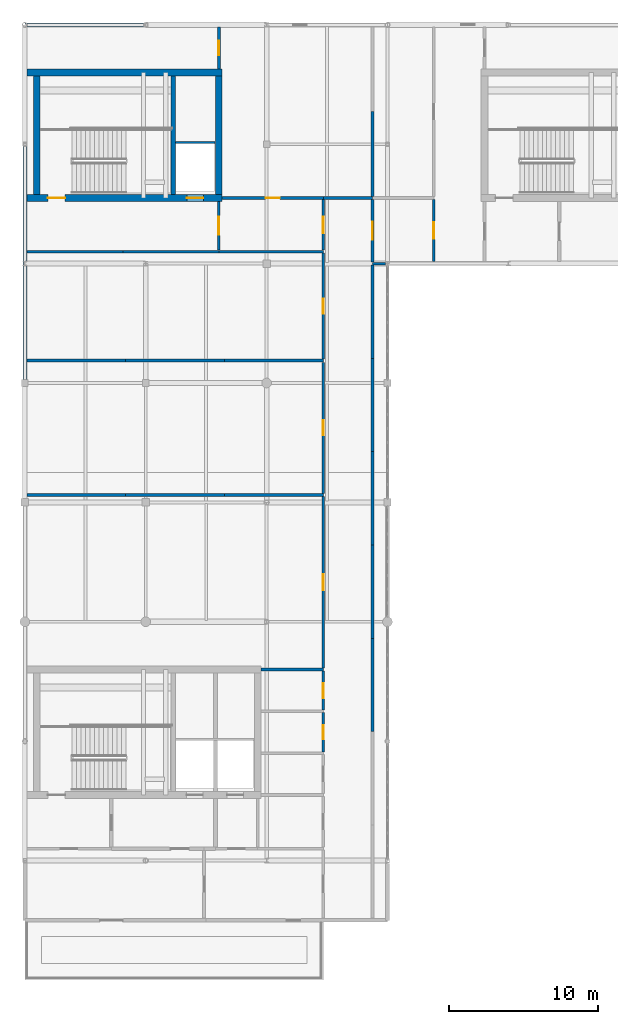
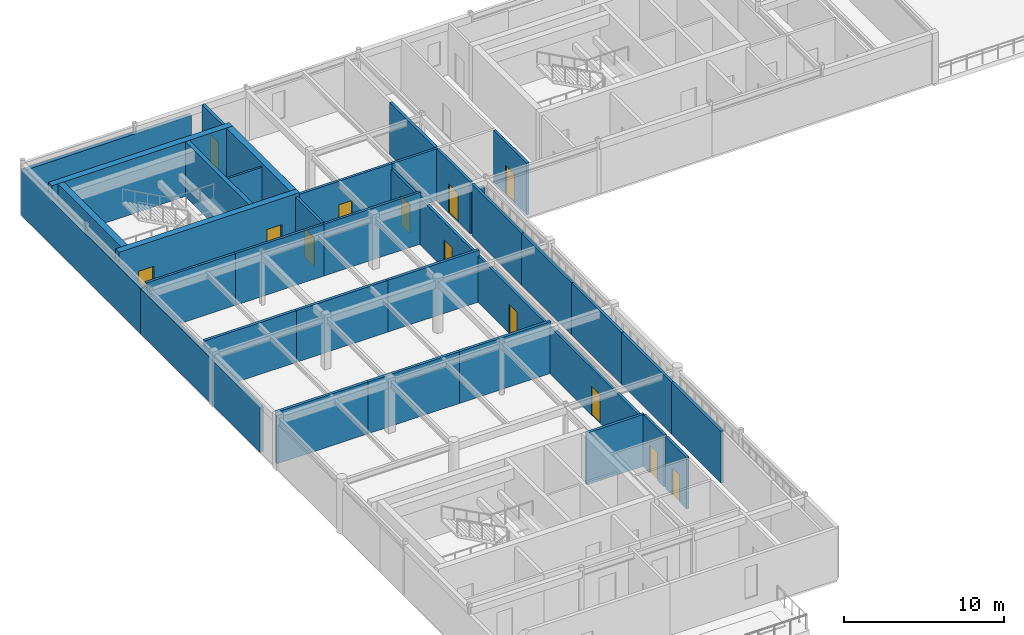
# One storey, part 13 of 18: 38 walls, 13 doors, 13 openings.
"""IFC4 building model written with IfcOpenShell, lengths in metres."""

from ifc_helpers import new_model, si_unit, direction, frame, frame_2d, origin, place, context, subcontext, project, spatial, rectangle, extrude, material, layer, layer_set, type_object, element, fill, save


model = new_model("IFC4")

# Units and contexts
model_context = context("Model", 3, precision=1e-05, world=origin(), true_north=direction((0.0, 1.0)))
body_context = subcontext(model_context, "Body", "Model", "MODEL_VIEW")
ifc_project = project(units=[si_unit("LENGTHUNIT", "METRE"), si_unit("AREAUNIT", "SQUARE_METRE"), si_unit("VOLUMEUNIT", "CUBIC_METRE"), si_unit("PLANEANGLEUNIT", "RADIAN"), si_unit("MASSUNIT", "GRAM", prefix="KILO")], contexts=[model_context])

# Site, building, storey
site_placement = place(None, origin())
site = spatial("IfcSite", under=ifc_project, at=site_placement, CompositionType="ELEMENT")
building_placement = place(site_placement, origin())
building = spatial("IfcBuilding", under=site, at=building_placement, Name="Tarnveldt Square Police Headquarters", CompositionType="ELEMENT")
storey_placement = place(building_placement, frame((0.0, 0.0, 29.10009765625)))
storey = spatial("IfcBuildingStorey", under=building, at=storey_placement, Name="L06", CompositionType="ELEMENT", Elevation=29.10009765625)

# Walls
ifc_material_1 = material(Name="Fire-rated Type X gypsum board on steel studs", Category="steel")
ifc_layer_1 = layer(ifc_material_1, 0.199951171875)
ifc_layer_set_1 = layer_set([ifc_layer_1], Name="Fire-rated Type X gypsum board on steel studs")
wall_type_1 = type_object("IfcWallType", Name="WL-ACOUST-200", PredefinedType="PARTITIONING", material=ifc_layer_set_1)
wall_1_placement = place(storey_placement, frame((16.337890625, 80.5, 0.0), z_axis=(0.0, 0.0, 1.0), x_axis=(1.0, 0.0, 0.0)))
element("IfcWall", 1, at=wall_1_placement, inside=storey, type_object=wall_type_1, Name="L06 Interior Partition Wall 0661", PredefinedType="PARTITIONING", context=body_context, shape_type="SweptSolid", body=[
    extrude(rectangle(XDim=6.620849609375, YDim=0.199951171875, at=frame_2d((3.310546875, 0.0))), origin(), (0.0, 0.0, 1.0), 3.9599609375),
])
for number, where, z_axis, x_axis, name in (
    (2, (22.958740234375, 80.5, 0.0), (0.0, 0.0, 1.0), (1.0, 0.0, 0.0), "L06 Interior Partition Wall 0662"),
    (3, (29.579345703125, 80.5, 0.0), (0.0, 0.0, 1.0), (1.0, 0.0, 0.0), "L06 Interior Partition Wall 0663"),
):
    element("IfcWall", number, at=place(storey_placement, frame(where, z_axis=z_axis, x_axis=x_axis)), inside=storey, type_object=wall_type_1, Name=name, PredefinedType="PARTITIONING", context=body_context, shape_type="SweptSolid", body=[
        extrude(rectangle(XDim=6.62060546875, YDim=0.199951171875, at=frame_2d((3.310302734375, 0.0))), origin(), (0.0, 0.0, 1.0), 3.9599609375),
    ])
wall_2_placement = place(storey_placement, frame((16.337890625, 89.5, 0.0), z_axis=(0.0, 0.0, 1.0), x_axis=(1.0, 0.0, 0.0)))
element("IfcWall", 4, at=wall_2_placement, inside=storey, type_object=wall_type_1, Name="L06 Interior Partition Wall 0664", PredefinedType="PARTITIONING", context=body_context, shape_type="SweptSolid", body=[
    extrude(rectangle(XDim=6.620849609375, YDim=0.199951171875, at=frame_2d((3.310546875, 0.0))), origin(), (0.0, 0.0, 1.0), 3.9599609375),
])
for number, where, z_axis, x_axis, name in (
    (5, (22.958740234375, 89.5, 0.0), (0.0, 0.0, 1.0), (1.0, 0.0, 0.0), "L06 Interior Partition Wall 0665"),
    (6, (29.579345703125, 89.5, 0.0), (0.0, 0.0, 1.0), (1.0, 0.0, 0.0), "L06 Interior Partition Wall 0666"),
):
    element("IfcWall", number, at=place(storey_placement, frame(where, z_axis=z_axis, x_axis=x_axis)), inside=storey, type_object=wall_type_1, Name=name, PredefinedType="PARTITIONING", context=body_context, shape_type="SweptSolid", body=[
        extrude(rectangle(XDim=6.62060546875, YDim=0.199951171875, at=frame_2d((3.310302734375, 0.0))), origin(), (0.0, 0.0, 1.0), 3.9599609375),
    ])
wall_3_placement = place(storey_placement, frame((32.02490234375, 68.800048828125, 0.0), z_axis=(0.0, 0.0, 1.0), x_axis=(1.0, 0.0, 0.0)))
element("IfcWall", 7, at=wall_3_placement, inside=storey, type_object=wall_type_1, Name="L06 Interior Partition Wall 0678", PredefinedType="PARTITIONING", context=body_context, shape_type="SweptSolid", body=[
    extrude(rectangle(XDim=4.175048828125, YDim=0.199951171875, at=frame_2d((2.08740234375, 0.0))), origin(), (0.0, 0.0, 1.0), 3.9599609375),
])

# Wall, opening, door
wall_4_placement = place(storey_placement, frame((29.199951171875, 109.032958984375, 0.0), z_axis=(0.0, 0.0, 1.0), x_axis=(0.0, 1.0, 0.0)))
wall_4 = element("IfcWall", 8, at=wall_4_placement, inside=storey, type_object=wall_type_1, Name="L06 Interior Partition Wall 0688", PredefinedType="PARTITIONING", context=body_context, shape_type="SweptSolid", body=[
    extrude(rectangle(XDim=2.8291015625, YDim=0.199951171875, at=frame_2d((1.41455078125, 0.0))), origin(), (0.0, 0.0, 1.0), 3.9599609375),
])
opening_1_placement = place(wall_4_placement, frame((0.91455078125, 0.0, 0.0)))
opening_1 = element("IfcOpeningElement", 9, at=opening_1_placement, cuts=wall_4, Name="Opening D05", PredefinedType="OPENING", context=body_context, shape_type="SweptSolid", body=[
    extrude(rectangle(XDim=1.0, YDim=2.199951171875, at=frame_2d((0.5, 1.10009765625))), frame((0.0, 0.10986328125, 0.0), z_axis=(0.0, -1.0, 0.0), x_axis=(1.0, 0.0, 0.0)), (0.0, 0.0, 1.0), 0.219970703125),
])
ifc_material_2 = material(Name="Solid core architectural birch door leaf", Category="wood")
door_type_1 = type_object("IfcDoorType", Name="DR-INT-1000", OperationType="NOTDEFINED", PredefinedType="DOOR", material=ifc_material_2)
door_1_placement = place(opening_1_placement, origin())
door_1 = element("IfcDoor", 10, at=door_1_placement, inside=storey, type_object=door_type_1, Name="Internal Affairs Case Archive Suite Door", OperationType="SINGLE_SWING_LEFT", OverallHeight=2.199951171875, OverallWidth=1.0, PredefinedType="DOOR", context=body_context, shape_type="SweptSolid", body=[
    extrude(rectangle(XDim=1.0, YDim=2.199951171875, at=frame_2d((0.5, 1.10009765625))), frame((0.0, 0.02490234375, 0.0), z_axis=(0.0, -1.0, 0.0), x_axis=(1.0, 0.0, 0.0)), (0.0, 0.0, 1.0), 0.050048828125),
])
fill(opening_1, door_1)

# Wall
wall_5_placement = place(storey_placement, frame((39.5, 100.498046875, 0.0), z_axis=(0.0, 0.0, 1.0), x_axis=(0.0, 1.0, 0.0)))
element("IfcWall", 11, at=wall_5_placement, inside=storey, type_object=wall_type_1, Name="L06 Interior Partition Wall 0707", PredefinedType="PARTITIONING", context=body_context, shape_type="SweptSolid", body=[
    extrude(rectangle(XDim=5.681884765625, YDim=0.199951171875, at=frame_2d((2.8408203125, 0.0))), origin(), (0.0, 0.0, 1.0), 3.9599609375),
])

# Wall, openings, doors
ifc_material_3 = material(Name="Concrete 50 MPa", Category="concrete")
ifc_layer_2 = layer(ifc_material_3, 0.449951171875)
ifc_layer_set_2 = layer_set([ifc_layer_2], Name="Concrete 50 MPa")
wall_type_2 = type_object("IfcWallType", Name="WL-CORE-450", PredefinedType="SHEAR", material=ifc_layer_set_2)
wall_6_placement = place(storey_placement, frame((16.360107421875, 100.39990234375, 0.0), z_axis=(0.0, 0.0, 1.0), x_axis=(1.0, 0.0, 0.0)))
wall_6 = element("IfcWall", 12, at=wall_6_placement, inside=storey, type_object=wall_type_2, Name="Core K2 North-West Operations Core L06 South Shear Wall", PredefinedType="SHEAR", context=body_context, shape_type="SweptSolid", body=[
    extrude(rectangle(XDim=13.06494140625, YDim=0.449951171875, at=frame_2d((6.532470703125, 0.0))), origin(), (0.0, 0.0, 1.0), 4.199951171875),
])
opening_2_placement = place(wall_6_placement, frame((1.389892578125, 0.0, 0.0)))
opening_2 = element("IfcOpeningElement", 13, at=opening_2_placement, cuts=wall_6, Name="Opening D-ST2-L06", PredefinedType="OPENING", context=body_context, shape_type="SweptSolid", body=[
    extrude(rectangle(XDim=1.14990234375, YDim=2.25, at=frame_2d((0.574951171875, 1.125))), frame((0.0, 0.23486328125, 0.0), z_axis=(0.0, -1.0, 0.0), x_axis=(1.0, 0.0, 0.0)), (0.0, 0.0, 1.0), 0.469970703125),
])
opening_3_placement = place(wall_6_placement, frame((10.695068359375, 0.0, 0.0)))
opening_3 = element("IfcOpeningElement", 14, at=opening_3_placement, cuts=wall_6, Name="Opening LD-LP2-L06", PredefinedType="OPENING", context=body_context, shape_type="SweptSolid", body=[
    extrude(rectangle(XDim=1.10009765625, YDim=2.199951171875, at=frame_2d((0.550048828125, 1.10009765625))), frame((0.0, 0.23486328125, 0.0), z_axis=(0.0, -1.0, 0.0), x_axis=(1.0, 0.0, 0.0)), (0.0, 0.0, 1.0), 0.469970703125),
])
ifc_material_4 = material(Name="Insulated hollow metal steel door leaf", Category="steel")
door_type_2 = type_object("IfcDoorType", Name="DR-FD90-1150", OperationType="NOTDEFINED", PredefinedType="DOOR", material=ifc_material_4)
door_2_placement = place(opening_2_placement, origin())
door_2 = element("IfcDoor", 15, at=door_2_placement, inside=storey, type_object=door_type_2, Name="Exit Stair ST2 L06 Fire Door", OperationType="SINGLE_SWING_RIGHT", OverallHeight=2.25, OverallWidth=1.14990234375, PredefinedType="DOOR", context=body_context, shape_type="SweptSolid", body=[
    extrude(rectangle(XDim=1.14990234375, YDim=2.25, at=frame_2d((0.574951171875, 1.125))), frame((0.0, 0.02490234375, 0.0), z_axis=(0.0, -1.0, 0.0), x_axis=(1.0, 0.0, 0.0)), (0.0, 0.0, 1.0), 0.050048828125),
])
fill(opening_2, door_2)
ifc_material_5 = material(Name="Steel 350W", Category="steel")
door_type_3 = type_object("IfcDoorType", Name="DR-LD-1100", OperationType="DOUBLE_DOOR_SLIDING", PredefinedType="DOOR", material=ifc_material_5)
door_3_placement = place(opening_3_placement, frame((1.10009765625, 0.0, 0.0), z_axis=(0.0, 0.0, 1.0), x_axis=(-1.0, 0.0, 0.0)))
door_3 = element("IfcDoor", 16, at=door_3_placement, inside=storey, type_object=door_type_3, Name="Elevator LP2 L06 Sliding Landing Door", OperationType="DOUBLE_DOOR_SLIDING", OverallHeight=2.199951171875, OverallWidth=1.10009765625, PredefinedType="DOOR", context=body_context, shape_type="SweptSolid", body=[
    extrude(rectangle(XDim=1.10009765625, YDim=2.199951171875, at=frame_2d((0.550048828125, 1.10009765625))), frame((0.0, 0.02490234375, 0.0), z_axis=(0.0, -1.0, 0.0), x_axis=(1.0, 0.0, 0.0)), (0.0, 0.0, 1.0), 0.050048828125),
])
fill(opening_3, door_3)

# Walls
wall_7_placement = place(storey_placement, frame((16.360107421875, 108.800048828125, 0.0), z_axis=(0.0, 0.0, 1.0), x_axis=(1.0, 0.0, 0.0)))
element("IfcWall", 17, at=wall_7_placement, inside=storey, type_object=wall_type_2, Name="Core K2 North-West Operations Core L06 North Shear Wall", PredefinedType="SHEAR", context=body_context, shape_type="SweptSolid", body=[
    extrude(rectangle(XDim=13.06494140625, YDim=0.449951171875, at=frame_2d((6.532470703125, 0.0))), origin(), (0.0, 0.0, 1.0), 4.199951171875),
])
for number, where, z_axis, x_axis, name in (
    (18, (17.0, 100.625, 0.0), (0.0, 0.0, 1.0), (0.0, 1.0, 0.0), "Core K2 North-West Operations Core L06 West Shear Wall"),
    (19, (29.199951171875, 100.625, 0.0), (0.0, 0.0, 1.0), (0.0, 1.0, 0.0), "Core K2 North-West Operations Core L06 East Shear Wall"),
):
    element("IfcWall", number, at=place(storey_placement, frame(where, z_axis=z_axis, x_axis=x_axis)), inside=storey, type_object=wall_type_2, Name=name, PredefinedType="SHEAR", context=body_context, shape_type="SweptSolid", body=[
        extrude(rectangle(XDim=7.949951171875, YDim=0.449951171875, at=frame_2d((3.97509765625, 0.0))), origin(), (0.0, 0.0, 1.0), 4.199951171875),
    ])
wall_8_placement = place(storey_placement, frame((26.14990234375, 100.625, 0.0), z_axis=(0.0, 0.0, 1.0), x_axis=(0.0, 1.0, 0.0)))
element("IfcWall", 20, at=wall_8_placement, inside=storey, type_object=wall_type_2, Name="Core K2 North-West Operations Core L06 Stair-Lift Divider Shear Wall", PredefinedType="SHEAR", context=body_context, shape_type="SweptSolid", body=[
    extrude(rectangle(XDim=7.949951171875, YDim=0.300048828125, at=frame_2d((3.97509765625, 0.0))), origin(), (0.0, 0.0, 1.0), 4.199951171875),
])
ifc_material_6 = material(Name="Precast concrete 35 MPa", Category="concrete")
ifc_layer_3 = layer(ifc_material_6, 0.260009765625)
ifc_layer_set_3 = layer_set([ifc_layer_3], Name="Precast concrete 35 MPa")
wall_type_3 = type_object("IfcWallType", Name="WL-EXT-PC260", PredefinedType="SOLIDWALL", material=ifc_layer_set_3)
wall_9_placement = place(storey_placement, frame((28.35009765625, 112.0, 0.0), z_axis=(0.0, 0.0, 1.0), x_axis=(-1.0, 0.0, 0.0)))
element("IfcWall", 21, at=wall_9_placement, inside=storey, type_object=wall_type_3, Name="L06 Brutalist Exterior Wall 0237", PredefinedType="SOLIDWALL", context=body_context, shape_type="SweptSolid", body=[
    extrude(rectangle(XDim=12.150146484375, YDim=0.260009765625, at=frame_2d((6.0751953125, 0.0))), origin(), (0.0, 0.0, 1.0), 3.40185546875),
])
for number, where, z_axis, x_axis, name in (
    (22, (16.199951171875, 112.0, 0.0), (0.0, 0.0, 1.0), (0.0, -1.0, 0.0), "L06 Brutalist Exterior Wall 0238"),
    (23, (16.199951171875, 97.0, 0.0), (0.0, 0.0, 1.0), (0.0, -1.0, 0.0), "L06 Brutalist Exterior Wall 0239"),
):
    element("IfcWall", number, at=place(storey_placement, frame(where, z_axis=z_axis, x_axis=x_axis)), inside=storey, type_object=wall_type_3, Name=name, PredefinedType="SOLIDWALL", context=body_context, shape_type="SweptSolid", body=[
        extrude(rectangle(XDim=15.0, YDim=0.260009765625, at=frame_2d((7.5, 0.0))), origin(), (0.0, 0.0, 1.0), 3.451904296875),
    ])
ifc_layer_4 = layer(ifc_material_1, 0.179931640625)
ifc_layer_set_4 = layer_set([ifc_layer_4], Name="Fire-rated Type X gypsum board on steel studs")
wall_type_4 = type_object("IfcWallType", Name="WL-FIRE-180", PredefinedType="PARTITIONING", material=ifc_layer_set_4)
wall_10_placement = place(storey_placement, frame((16.337890625, 96.800048828125, 0.0), z_axis=(0.0, 0.0, 1.0), x_axis=(1.0, 0.0, 0.0)))
element("IfcWall", 24, at=wall_10_placement, inside=storey, type_object=wall_type_4, Name="L06 Interior Partition Wall 0667", PredefinedType="PARTITIONING", context=body_context, shape_type="SweptSolid", body=[
    extrude(rectangle(XDim=6.43115234375, YDim=0.179931640625, at=frame_2d((3.215576171875, 0.0))), origin(), (0.0, 0.0, 1.0), 3.9599609375),
])
wall_11_placement = place(storey_placement, frame((22.76904296875, 96.800048828125, 0.0), z_axis=(0.0, 0.0, 1.0), x_axis=(1.0, 0.0, 0.0)))
element("IfcWall", 25, at=wall_11_placement, inside=storey, type_object=wall_type_4, Name="L06 Interior Partition Wall 0668", PredefinedType="PARTITIONING", context=body_context, shape_type="SweptSolid", body=[
    extrude(rectangle(XDim=6.430908203125, YDim=0.179931640625, at=frame_2d((3.21533203125, 0.0))), origin(), (0.0, 0.0, 1.0), 3.9599609375),
])
wall_12_placement = place(storey_placement, frame((29.199951171875, 96.800048828125, 0.0), z_axis=(0.0, 0.0, 1.0), x_axis=(1.0, 0.0, 0.0)))
element("IfcWall", 26, at=wall_12_placement, inside=storey, type_object=wall_type_4, Name="L06 Interior Partition Wall 0672", PredefinedType="PARTITIONING", context=body_context, shape_type="SweptSolid", body=[
    extrude(rectangle(XDim=7.0, YDim=0.179931640625, at=frame_2d((3.5, 0.0))), origin(), (0.0, 0.0, 1.0), 3.9599609375),
])

# Wall, opening, door
wall_13_placement = place(storey_placement, frame((29.425048828125, 100.39990234375, 0.0), z_axis=(0.0, 0.0, 1.0), x_axis=(1.0, 0.0, 0.0)))
wall_13 = element("IfcWall", 27, at=wall_13_placement, inside=storey, type_object=wall_type_4, Name="L06 Interior Partition Wall 0673", PredefinedType="PARTITIONING", context=body_context, shape_type="SweptSolid", body=[
    extrude(rectangle(XDim=6.77490234375, YDim=0.179931640625, at=frame_2d((3.387451171875, 0.0))), origin(), (0.0, 0.0, 1.0), 3.9599609375),
])
opening_4_placement = place(wall_13_placement, frame((2.91259765625, 0.0, 0.0)))
opening_4 = element("IfcOpeningElement", 28, at=opening_4_placement, cuts=wall_13, Name="Opening D03", PredefinedType="OPENING", context=body_context, shape_type="SweptSolid", body=[
    extrude(rectangle(XDim=0.949951171875, YDim=2.14990234375, at=frame_2d((0.47509765625, 1.074951171875))), frame((0.0, 0.099853515625, 0.0), z_axis=(0.0, -1.0, 0.0), x_axis=(1.0, 0.0, 0.0)), (0.0, 0.0, 1.0), 0.199951171875),
])
door_type_4 = type_object("IfcDoorType", Name="DR-INT-950", OperationType="NOTDEFINED", PredefinedType="DOOR", material=ifc_material_2)
door_4_placement = place(opening_4_placement, origin())
door_4 = element("IfcDoor", 29, at=door_4_placement, inside=storey, type_object=door_type_4, Name="Soft-Furnished Child Witness Interview Room Door", OperationType="SINGLE_SWING_LEFT", OverallHeight=2.14990234375, OverallWidth=0.949951171875, PredefinedType="DOOR", context=body_context, shape_type="SweptSolid", body=[
    extrude(rectangle(XDim=0.949951171875, YDim=2.14990234375, at=frame_2d((0.47509765625, 1.074951171875))), frame((0.0, 0.02490234375, 0.0), z_axis=(0.0, -1.0, 0.0), x_axis=(1.0, 0.0, 0.0)), (0.0, 0.0, 1.0), 0.050048828125),
])
fill(opening_4, door_4)

# Walls
wall_14_placement = place(storey_placement, frame((36.199951171875, 100.39990234375, 0.0), z_axis=(0.0, 0.0, 1.0), x_axis=(1.0, 0.0, 0.0)))
element("IfcWall", 30, at=wall_14_placement, inside=storey, type_object=wall_type_4, Name="L06 Interior Partition Wall 0679", PredefinedType="PARTITIONING", context=body_context, shape_type="SweptSolid", body=[
    extrude(rectangle(XDim=3.300048828125, YDim=0.179931640625, at=frame_2d((1.64990234375, 0.0))), origin(), (0.0, 0.0, 1.0), 3.9599609375),
])
wall_15_placement = place(storey_placement, frame((39.5, 96.0, 0.0), z_axis=(0.0, 0.0, 1.0), x_axis=(1.0, 0.0, 0.0)))
element("IfcWall", 31, at=wall_15_placement, inside=storey, type_object=wall_type_4, Name="L06 Interior Partition Wall 0680", PredefinedType="PARTITIONING", context=body_context, shape_type="SweptSolid", body=[
    extrude(rectangle(XDim=0.862060546875, YDim=0.179931640625, at=frame_2d((0.43115234375, 0.0))), origin(), (0.0, 0.0, 1.0), 3.40185546875),
])

# Wall, opening, door
wall_16_placement = place(storey_placement, frame((29.199951171875, 96.89794921875, 0.0), z_axis=(0.0, 0.0, 1.0), x_axis=(0.0, 1.0, 0.0)))
wall_16 = element("IfcWall", 32, at=wall_16_placement, inside=storey, type_object=wall_type_4, Name="L06 Interior Partition Wall 0687", PredefinedType="PARTITIONING", context=body_context, shape_type="SweptSolid", body=[
    extrude(rectangle(XDim=3.26904296875, YDim=0.179931640625, at=frame_2d((1.634521484375, 0.0))), origin(), (0.0, 0.0, 1.0), 3.9599609375),
])
opening_5_placement = place(wall_16_placement, frame((1.034423828125, 0.0, 0.0)))
opening_5 = element("IfcOpeningElement", 33, at=opening_5_placement, cuts=wall_16, Name="Opening D16", PredefinedType="OPENING", context=body_context, shape_type="SweptSolid", body=[
    extrude(rectangle(XDim=1.199951171875, YDim=2.199951171875, at=frame_2d((0.60009765625, 1.10009765625))), frame((0.0, 0.099853515625, 0.0), z_axis=(0.0, -1.0, 0.0), x_axis=(1.0, 0.0, 0.0)), (0.0, 0.0, 1.0), 0.199951171875),
])
door_type_5 = type_object("IfcDoorType", Name="DR-FD60-1200", OperationType="NOTDEFINED", PredefinedType="DOOR", material=ifc_material_4)
door_5_placement = place(opening_5_placement, frame((1.199951171875, 0.0, 0.0), z_axis=(0.0, 0.0, 1.0), x_axis=(-1.0, 0.0, 0.0)))
door_5 = element("IfcDoor", 34, at=door_5_placement, inside=storey, type_object=door_type_5, Name="Core Lift Lobby K2-L06 Door", OperationType="SINGLE_SWING_RIGHT", OverallHeight=2.199951171875, OverallWidth=1.199951171875, PredefinedType="DOOR", context=body_context, shape_type="SweptSolid", body=[
    extrude(rectangle(XDim=1.199951171875, YDim=2.199951171875, at=frame_2d((0.60009765625, 1.10009765625))), frame((0.0, 0.02490234375, 0.0), z_axis=(0.0, -1.0, 0.0), x_axis=(1.0, 0.0, 0.0)), (0.0, 0.0, 1.0), 0.050048828125),
])
fill(opening_5, door_5)

wall_17_placement = place(storey_placement, frame((36.199951171875, 63.2880859375, 0.0), z_axis=(0.0, 0.0, 1.0), x_axis=(0.0, 1.0, 0.0)))
wall_17 = element("IfcWall", 35, at=wall_17_placement, inside=storey, type_object=wall_type_4, Name="L06 Interior Partition Wall 0693", PredefinedType="PARTITIONING", context=body_context, shape_type="SweptSolid", body=[
    extrude(rectangle(XDim=2.6240234375, YDim=0.179931640625, at=frame_2d((1.31201171875, 0.0))), origin(), (0.0, 0.0, 1.0), 3.9599609375),
])
opening_6_placement = place(wall_17_placement, frame((0.8369140625, 0.0, 0.0)))
opening_6 = element("IfcOpeningElement", 36, at=opening_6_placement, cuts=wall_17, Name="Opening D02", PredefinedType="OPENING", context=body_context, shape_type="SweptSolid", body=[
    extrude(rectangle(XDim=0.949951171875, YDim=2.10009765625, at=frame_2d((0.47509765625, 1.050048828125))), frame((0.0, 0.099853515625, 0.0), z_axis=(0.0, -1.0, 0.0), x_axis=(1.0, 0.0, 0.0)), (0.0, 0.0, 1.0), 0.199951171875),
])
door_type_6 = type_object("IfcDoorType", Name="DR-WC-950", OperationType="NOTDEFINED", PredefinedType="DOOR", material=ifc_material_2)
door_6_placement = place(opening_6_placement, origin())
door_6 = element("IfcDoor", 37, at=door_6_placement, inside=storey, type_object=door_type_6, Name="Women Washroom L06 Door", OperationType="SINGLE_SWING_LEFT", OverallHeight=2.10009765625, OverallWidth=0.949951171875, PredefinedType="DOOR", context=body_context, shape_type="SweptSolid", body=[
    extrude(rectangle(XDim=0.949951171875, YDim=2.10009765625, at=frame_2d((0.47509765625, 1.050048828125))), frame((0.0, 0.02490234375, 0.0), z_axis=(0.0, -1.0, 0.0), x_axis=(1.0, 0.0, 0.0)), (0.0, 0.0, 1.0), 0.050048828125),
])
fill(opening_6, door_6)

wall_18_placement = place(storey_placement, frame((36.199951171875, 66.087890625, 0.0), z_axis=(0.0, 0.0, 1.0), x_axis=(0.0, 1.0, 0.0)))
wall_18 = element("IfcWall", 38, at=wall_18_placement, inside=storey, type_object=wall_type_4, Name="L06 Interior Partition Wall 0694", PredefinedType="PARTITIONING", context=body_context, shape_type="SweptSolid", body=[
    extrude(rectangle(XDim=2.60400390625, YDim=0.179931640625, at=frame_2d((1.302001953125, 0.0))), origin(), (0.0, 0.0, 1.0), 3.9599609375),
])
opening_7_placement = place(wall_18_placement, frame((0.802001953125, 0.0, 0.0)))
opening_7 = element("IfcOpeningElement", 39, at=opening_7_placement, cuts=wall_18, Name="Opening D04", PredefinedType="OPENING", context=body_context, shape_type="SweptSolid", body=[
    extrude(rectangle(XDim=1.0, YDim=2.14990234375, at=frame_2d((0.5, 1.074951171875))), frame((0.0, 0.099853515625, 0.0), z_axis=(0.0, -1.0, 0.0), x_axis=(1.0, 0.0, 0.0)), (0.0, 0.0, 1.0), 0.199951171875),
])
door_type_7 = type_object("IfcDoorType", Name="DR-ACC-1000", OperationType="NOTDEFINED", PredefinedType="DOOR", material=ifc_material_2)
door_7_placement = place(opening_7_placement, origin())
door_7 = element("IfcDoor", 40, at=door_7_placement, inside=storey, type_object=door_type_7, Name="Accessible WC L06 Door", OperationType="SINGLE_SWING_RIGHT", OverallHeight=2.14990234375, OverallWidth=1.0, PredefinedType="DOOR", context=body_context, shape_type="SweptSolid", body=[
    extrude(rectangle(XDim=1.0, YDim=2.14990234375, at=frame_2d((0.5, 1.074951171875))), frame((0.0, 0.02490234375, 0.0), z_axis=(0.0, -1.0, 0.0), x_axis=(1.0, 0.0, 0.0)), (0.0, 0.0, 1.0), 0.050048828125),
])
fill(opening_7, door_7)

wall_19_placement = place(storey_placement, frame((36.199951171875, 68.907958984375, 0.0), z_axis=(0.0, 0.0, 1.0), x_axis=(0.0, 1.0, 0.0)))
wall_19 = element("IfcWall", 41, at=wall_19_placement, inside=storey, type_object=wall_type_4, Name="L06 Interior Partition Wall 0695", PredefinedType="PARTITIONING", context=body_context, shape_type="SweptSolid", body=[
    extrude(rectangle(XDim=11.484130859375, YDim=0.179931640625, at=frame_2d((5.7421875, 0.0))), origin(), (0.0, 0.0, 1.0), 3.597900390625),
])
opening_8_placement = place(wall_19_placement, frame((5.19189453125, 0.0, 0.0)))
opening_8 = element("IfcOpeningElement", 42, at=opening_8_placement, cuts=wall_19, Name="Opening D07", PredefinedType="OPENING", context=body_context, shape_type="SweptSolid", body=[
    extrude(rectangle(XDim=1.10009765625, YDim=2.199951171875, at=frame_2d((0.550048828125, 1.10009765625))), frame((0.0, 0.099853515625, 0.0), z_axis=(0.0, -1.0, 0.0), x_axis=(1.0, 0.0, 0.0)), (0.0, 0.0, 1.0), 0.199951171875),
])
door_type_8 = type_object("IfcDoorType", Name="DR-INT-1100", OperationType="NOTDEFINED", PredefinedType="DOOR", material=ifc_material_2)
door_8_placement = place(opening_8_placement, origin())
door_8 = element("IfcDoor", 43, at=door_8_placement, inside=storey, type_object=door_type_8, Name="Special Victims Investigation Suite Door", OperationType="SINGLE_SWING_LEFT", OverallHeight=2.199951171875, OverallWidth=1.10009765625, PredefinedType="DOOR", context=body_context, shape_type="SweptSolid", body=[
    extrude(rectangle(XDim=1.10009765625, YDim=2.199951171875, at=frame_2d((0.550048828125, 1.10009765625))), frame((0.0, 0.02490234375, 0.0), z_axis=(0.0, -1.0, 0.0), x_axis=(1.0, 0.0, 0.0)), (0.0, 0.0, 1.0), 0.050048828125),
])
fill(opening_8, door_8)

wall_20_placement = place(storey_placement, frame((36.199951171875, 80.60791015625, 0.0), z_axis=(0.0, 0.0, 1.0), x_axis=(0.0, 1.0, 0.0)))
wall_20 = element("IfcWall", 44, at=wall_20_placement, inside=storey, type_object=wall_type_4, Name="L06 Interior Partition Wall 0696", PredefinedType="PARTITIONING", context=body_context, shape_type="SweptSolid", body=[
    extrude(rectangle(XDim=8.7841796875, YDim=0.179931640625, at=frame_2d((4.39208984375, 0.0))), origin(), (0.0, 0.0, 1.0), 3.544921875),
])
opening_9_placement = place(wall_20_placement, frame((3.89208984375, 0.0, 0.0)))
opening_9 = element("IfcOpeningElement", 45, at=opening_9_placement, cuts=wall_20, Name="Opening D05", PredefinedType="OPENING", context=body_context, shape_type="SweptSolid", body=[
    extrude(rectangle(XDim=1.0, YDim=2.199951171875, at=frame_2d((0.5, 1.10009765625))), frame((0.0, 0.099853515625, 0.0), z_axis=(0.0, -1.0, 0.0), x_axis=(1.0, 0.0, 0.0)), (0.0, 0.0, 1.0), 0.199951171875),
])
door_9_placement = place(opening_9_placement, origin())
door_9 = element("IfcDoor", 46, at=door_9_placement, inside=storey, type_object=door_type_1, Name="Financial Crimes and Fraud Audit Bureau Door", OperationType="SINGLE_SWING_RIGHT", OverallHeight=2.199951171875, OverallWidth=1.0, PredefinedType="DOOR", context=body_context, shape_type="SweptSolid", body=[
    extrude(rectangle(XDim=1.0, YDim=2.199951171875, at=frame_2d((0.5, 1.10009765625))), frame((0.0, 0.02490234375, 0.0), z_axis=(0.0, -1.0, 0.0), x_axis=(1.0, 0.0, 0.0)), (0.0, 0.0, 1.0), 0.050048828125),
])
fill(opening_9, door_9)

wall_21_placement = place(storey_placement, frame((36.199951171875, 89.60791015625, 0.0), z_axis=(0.0, 0.0, 1.0), x_axis=(0.0, 1.0, 0.0)))
wall_21 = element("IfcWall", 47, at=wall_21_placement, inside=storey, type_object=wall_type_4, Name="L06 Interior Partition Wall 0697", PredefinedType="PARTITIONING", context=body_context, shape_type="SweptSolid", body=[
    extrude(rectangle(XDim=7.093994140625, YDim=0.179931640625, at=frame_2d((3.546875, 0.0))), origin(), (0.0, 0.0, 1.0), 3.544921875),
])
opening_10_placement = place(wall_21_placement, frame((3.047119140625, 0.0, 0.0)))
opening_10 = element("IfcOpeningElement", 48, at=opening_10_placement, cuts=wall_21, Name="Opening D05", PredefinedType="OPENING", context=body_context, shape_type="SweptSolid", body=[
    extrude(rectangle(XDim=1.0, YDim=2.199951171875, at=frame_2d((0.5, 1.10009765625))), frame((0.0, 0.099853515625, 0.0), z_axis=(0.0, -1.0, 0.0), x_axis=(1.0, 0.0, 0.0)), (0.0, 0.0, 1.0), 0.199951171875),
])
door_10_placement = place(opening_10_placement, origin())
door_10 = element("IfcDoor", 49, at=door_10_placement, inside=storey, type_object=door_type_1, Name="Professional Standards Hearing Briefing Room Door", OperationType="SINGLE_SWING_LEFT", OverallHeight=2.199951171875, OverallWidth=1.0, PredefinedType="DOOR", context=body_context, shape_type="SweptSolid", body=[
    extrude(rectangle(XDim=1.0, YDim=2.199951171875, at=frame_2d((0.5, 1.10009765625))), frame((0.0, 0.02490234375, 0.0), z_axis=(0.0, -1.0, 0.0), x_axis=(1.0, 0.0, 0.0)), (0.0, 0.0, 1.0), 0.050048828125),
])
fill(opening_10, door_10)

wall_22_placement = place(storey_placement, frame((36.199951171875, 96.89794921875, 0.0), z_axis=(0.0, 0.0, 1.0), x_axis=(0.0, 1.0, 0.0)))
wall_22 = element("IfcWall", 50, at=wall_22_placement, inside=storey, type_object=wall_type_4, Name="L06 Interior Partition Wall 0698", PredefinedType="PARTITIONING", context=body_context, shape_type="SweptSolid", body=[
    extrude(rectangle(XDim=3.404052734375, YDim=0.179931640625, at=frame_2d((1.7021484375, 0.0))), origin(), (0.0, 0.0, 1.0), 3.544921875),
])
opening_11_placement = place(wall_22_placement, frame((1.152099609375, 0.0, 0.0)))
opening_11 = element("IfcOpeningElement", 51, at=opening_11_placement, cuts=wall_22, Name="Opening D15", PredefinedType="OPENING", context=body_context, shape_type="SweptSolid", body=[
    extrude(rectangle(XDim=1.10009765625, YDim=2.199951171875, at=frame_2d((0.550048828125, 1.10009765625))), frame((0.0, 0.099853515625, 0.0), z_axis=(0.0, -1.0, 0.0), x_axis=(1.0, 0.0, 0.0)), (0.0, 0.0, 1.0), 0.199951171875),
])
door_type_9 = type_object("IfcDoorType", Name="DR-FD60-1100", OperationType="NOTDEFINED", PredefinedType="DOOR", material=ifc_material_4)
door_11_placement = place(opening_11_placement, origin())
door_11 = element("IfcDoor", 52, at=door_11_placement, inside=storey, type_object=door_type_9, Name="Core K2 East Vestibule L06 Door", OperationType="SINGLE_SWING_RIGHT", OverallHeight=2.199951171875, OverallWidth=1.10009765625, PredefinedType="DOOR", context=body_context, shape_type="SweptSolid", body=[
    extrude(rectangle(XDim=1.10009765625, YDim=2.199951171875, at=frame_2d((0.550048828125, 1.10009765625))), frame((0.0, 0.02490234375, 0.0), z_axis=(0.0, -1.0, 0.0), x_axis=(1.0, 0.0, 0.0)), (0.0, 0.0, 1.0), 0.050048828125),
])
fill(opening_11, door_11)

# Walls
for number, where, z_axis, x_axis, name in (
    (53, (39.5, 64.64208984375, 0.0), (0.0, 0.0, 1.0), (0.0, 1.0, 0.0), "L06 Interior Partition Wall 0701"),
    (54, (39.5, 70.89404296875, 0.0), (0.0, 0.0, 1.0), (0.0, 1.0, 0.0), "L06 Interior Partition Wall 0702"),
    (55, (39.5, 77.14599609375, 0.0), (0.0, 0.0, 1.0), (0.0, 1.0, 0.0), "L06 Interior Partition Wall 0703"),
    (56, (39.5, 83.39794921875, 0.0), (0.0, 0.0, 1.0), (0.0, 1.0, 0.0), "L06 Interior Partition Wall 0704"),
):
    element("IfcWall", number, at=place(storey_placement, frame(where, z_axis=z_axis, x_axis=x_axis)), inside=storey, type_object=wall_type_4, Name=name, PredefinedType="PARTITIONING", context=body_context, shape_type="SweptSolid", body=[
        extrude(rectangle(XDim=6.251953125, YDim=0.179931640625, at=frame_2d((3.1259765625, 0.0))), origin(), (0.0, 0.0, 1.0), 3.9599609375),
    ])
wall_23_placement = place(storey_placement, frame((39.5, 89.64990234375, 0.0), z_axis=(0.0, 0.0, 1.0), x_axis=(0.0, 1.0, 0.0)))
element("IfcWall", 57, at=wall_23_placement, inside=storey, type_object=wall_type_4, Name="L06 Interior Partition Wall 0705", PredefinedType="PARTITIONING", context=body_context, shape_type="SweptSolid", body=[
    extrude(rectangle(XDim=6.252197265625, YDim=0.179931640625, at=frame_2d((3.1259765625, 0.0))), origin(), (0.0, 0.0, 1.0), 3.9599609375),
])

# Wall, opening, door
wall_24_placement = place(storey_placement, frame((39.5, 96.097900390625, 0.0), z_axis=(0.0, 0.0, 1.0), x_axis=(0.0, 1.0, 0.0)))
wall_24 = element("IfcWall", 58, at=wall_24_placement, inside=storey, type_object=wall_type_4, Name="L06 Interior Partition Wall 0706", PredefinedType="PARTITIONING", context=body_context, shape_type="SweptSolid", body=[
    extrude(rectangle(XDim=4.2041015625, YDim=0.179931640625, at=frame_2d((2.10205078125, 0.0))), origin(), (0.0, 0.0, 1.0), 3.9599609375),
])
opening_12_placement = place(wall_24_placement, frame((1.501953125, 0.0, 0.0)))
opening_12 = element("IfcOpeningElement", 59, at=opening_12_placement, cuts=wall_24, Name="Opening D16", PredefinedType="OPENING", context=body_context, shape_type="SweptSolid", body=[
    extrude(rectangle(XDim=1.199951171875, YDim=2.199951171875, at=frame_2d((0.60009765625, 1.10009765625))), frame((0.0, 0.099853515625, 0.0), z_axis=(0.0, -1.0, 0.0), x_axis=(1.0, 0.0, 0.0)), (0.0, 0.0, 1.0), 0.199951171875),
])
door_12_placement = place(opening_12_placement, frame((1.199951171875, 0.0, 0.0), z_axis=(0.0, 0.0, 1.0), x_axis=(-1.0, 0.0, 0.0)))
door_12 = element("IfcDoor", 60, at=door_12_placement, inside=storey, type_object=door_type_5, Name="North-West Return Vestibule L06 Door", OperationType="SINGLE_SWING_LEFT", OverallHeight=2.199951171875, OverallWidth=1.199951171875, PredefinedType="DOOR", context=body_context, shape_type="SweptSolid", body=[
    extrude(rectangle(XDim=1.199951171875, YDim=2.199951171875, at=frame_2d((0.60009765625, 1.10009765625))), frame((0.0, 0.02490234375, 0.0), z_axis=(0.0, -1.0, 0.0), x_axis=(1.0, 0.0, 0.0)), (0.0, 0.0, 1.0), 0.050048828125),
])
fill(opening_12, door_12)

wall_25_placement = place(storey_placement, frame((43.60009765625, 96.137939453125, 0.0), z_axis=(0.0, 0.0, 1.0), x_axis=(0.0, 1.0, 0.0)))
wall_25 = element("IfcWall", 61, at=wall_25_placement, inside=storey, type_object=wall_type_4, Name="L06 Interior Partition Wall 0709", PredefinedType="PARTITIONING", context=body_context, shape_type="SweptSolid", body=[
    extrude(rectangle(XDim=4.1640625, YDim=0.179931640625, at=frame_2d((2.08203125, 0.0))), origin(), (0.0, 0.0, 1.0), 3.9599609375),
])
opening_13_placement = place(wall_25_placement, frame((1.531982421875, 0.0, 0.0)))
opening_13 = element("IfcOpeningElement", 62, at=opening_13_placement, cuts=wall_25, Name="Opening D15", PredefinedType="OPENING", context=body_context, shape_type="SweptSolid", body=[
    extrude(rectangle(XDim=1.10009765625, YDim=2.199951171875, at=frame_2d((0.550048828125, 1.10009765625))), frame((0.0, 0.099853515625, 0.0), z_axis=(0.0, -1.0, 0.0), x_axis=(1.0, 0.0, 0.0)), (0.0, 0.0, 1.0), 0.199951171875),
])
door_13_placement = place(opening_13_placement, origin())
door_13 = element("IfcDoor", 63, at=door_13_placement, inside=storey, type_object=door_type_9, Name="North-West Return Vestibule L06 Secondary Door", OperationType="SINGLE_SWING_RIGHT", OverallHeight=2.199951171875, OverallWidth=1.10009765625, PredefinedType="DOOR", context=body_context, shape_type="SweptSolid", body=[
    extrude(rectangle(XDim=1.10009765625, YDim=2.199951171875, at=frame_2d((0.550048828125, 1.10009765625))), frame((0.0, 0.02490234375, 0.0), z_axis=(0.0, -1.0, 0.0), x_axis=(1.0, 0.0, 0.0)), (0.0, 0.0, 1.0), 0.050048828125),
])
fill(opening_13, door_13)

# Wall
ifc_layer_5 = layer(ifc_material_1, 0.14990234375)
ifc_layer_set_5 = layer_set([ifc_layer_5], Name="Fire-rated Type X gypsum board on steel studs")
wall_type_5 = type_object("IfcWallType", Name="WL-SHAFT-150", PredefinedType="PARTITIONING", material=ifc_layer_set_5)
wall_26_placement = place(storey_placement, frame((26.300048828125, 104.1201171875, 0.0), z_axis=(0.0, 0.0, 1.0), x_axis=(1.0, 0.0, 0.0)))
element("IfcWall", 64, at=wall_26_placement, inside=storey, type_object=wall_type_5, Name="K2 L06 Elevator Shaft Back Wall", PredefinedType="PARTITIONING", context=body_context, shape_type="SweptSolid", body=[
    extrude(rectangle(XDim=2.64990234375, YDim=0.14990234375, at=frame_2d((1.324951171875, 0.0))), origin(), (0.0, 0.0, 1.0), 3.9599609375),
])

save(model, "model.ifc")
